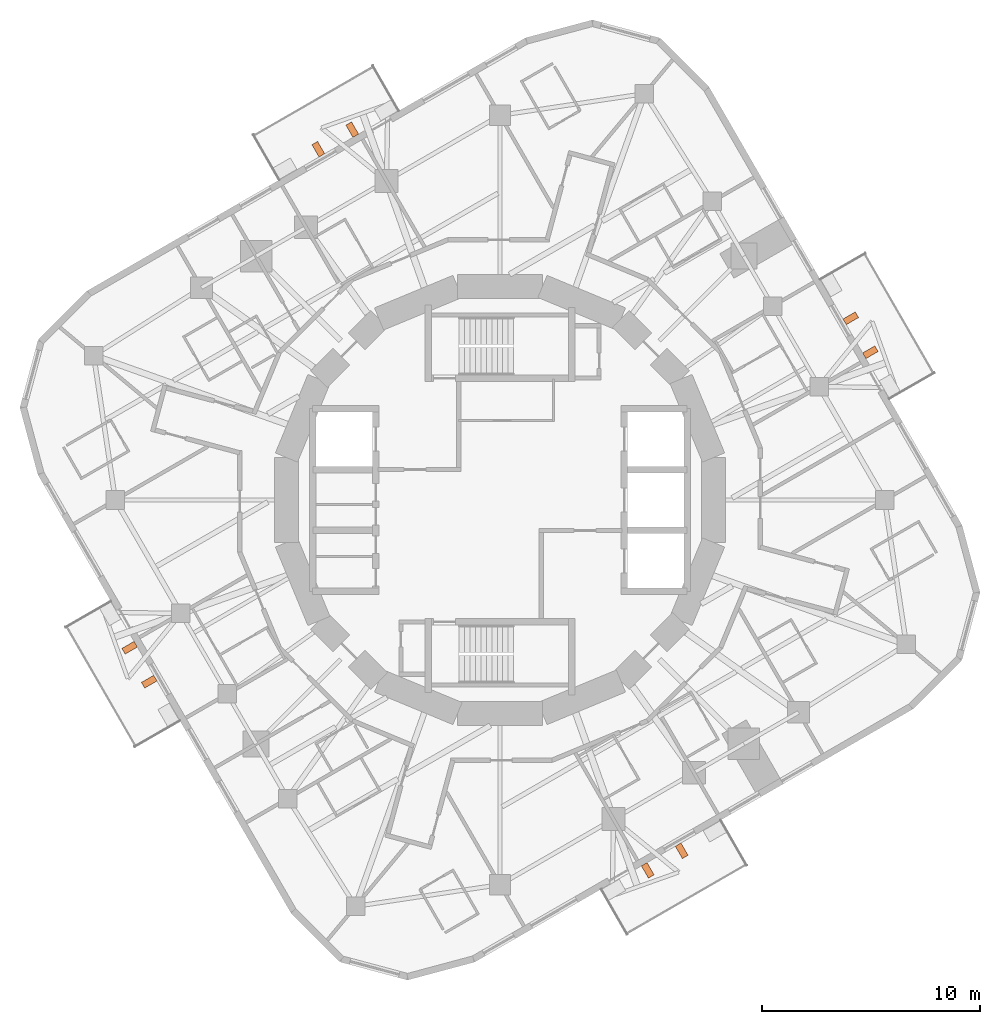
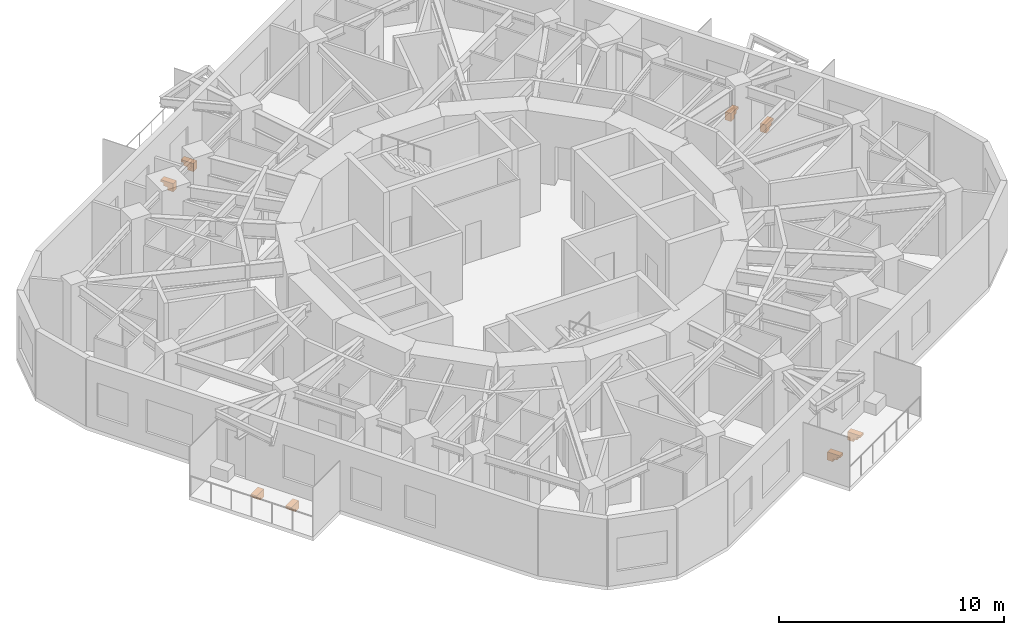
# One storey, part 11 of 11: 8 proxies.
"""IFC4 building model written with IfcOpenShell, lengths in metres."""

from ifc_helpers import new_model, si_unit, direction, frame, origin, place, context, subcontext, project, spatial, polyline, outline, extrude, material, type_object, element, save


model = new_model("IFC4")

# Units and contexts
model_context = context("Model", 3, precision=1e-05, world=origin(), true_north=direction((0.0, 1.0)))
body_context = subcontext(model_context, "Body", "Model", "MODEL_VIEW")
ifc_project = project(units=[si_unit("LENGTHUNIT", "METRE"), si_unit("AREAUNIT", "SQUARE_METRE"), si_unit("VOLUMEUNIT", "CUBIC_METRE"), si_unit("PLANEANGLEUNIT", "RADIAN"), si_unit("MASSUNIT", "GRAM", prefix="KILO")], contexts=[model_context])

# Site, building, storey
site_placement = place(None, origin())
site = spatial("IfcSite", under=ifc_project, at=site_placement, CompositionType="ELEMENT")
building_placement = place(site_placement, origin())
building = spatial("IfcBuilding", under=site, at=building_placement, Name="Nakasero Lantern House", CompositionType="ELEMENT")
storey_placement = place(building_placement, frame((0.0, 0.0, 246.199951171875)))
storey = spatial("IfcBuildingStorey", under=building, at=storey_placement, Name="L60", CompositionType="ELEMENT", Elevation=246.199951171875)

# Proxies
ifc_material = material(Name="Concrete C40/50 precast", Category="concrete")
building_element_proxy_type = type_object("IfcBuildingElementProxyType", Name="Balcony bracket 300", PredefinedType="USERDEFINED", material=ifc_material)
for number, where, z_axis, x_axis, name in (
    (1, (16.7294921875, 6.62353515625, -0.199951171875), (0.0, 0.0, 1.0), (0.866025404, 0.5, 0.0), "Balcony bracket L60 0A"),
    (2, (15.82958984375, 8.182373046875, -0.199951171875), (0.0, 0.0, 1.0), (0.866025404, 0.5, 0.0), "Balcony bracket L60 0B"),
    (3, (-6.62353515625, 16.7294921875, -0.199951171875), (0.0, 0.0, 1.0), (-0.5, 0.866025404, 0.0), "Balcony bracket L60 1A"),
    (4, (-8.182373046875, 15.82958984375, -0.199951171875), (0.0, 0.0, 1.0), (-0.5, 0.866025404, 0.0), "Balcony bracket L60 1B"),
    (5, (-16.7294921875, -6.62353515625, -0.199951171875), (0.0, 0.0, 1.0), (-0.866025404, -0.5, 0.0), "Balcony bracket L60 2A"),
    (6, (-15.82958984375, -8.182373046875, -0.199951171875), (0.0, 0.0, 1.0), (-0.866025404, -0.5, 0.0), "Balcony bracket L60 2B"),
    (7, (6.62353515625, -16.7294921875, -0.199951171875), (0.0, 0.0, 1.0), (0.5, -0.866025404, 0.0), "Balcony bracket L60 3A"),
    (8, (8.182373046875, -15.82958984375, -0.199951171875), (0.0, 0.0, 1.0), (0.5, -0.866025404, 0.0), "Balcony bracket L60 3B"),
):
    element("IfcBuildingElementProxy", number, at=place(storey_placement, frame(where, z_axis=z_axis, x_axis=x_axis)), inside=storey, type_object=building_element_proxy_type, Name=name, ObjectType="BALCONY BRACKET", PredefinedType="USERDEFINED", context=body_context, shape_type="SweptSolid", body=[
        extrude(outline(polyline([(0.0, 0.0), (0.64990234375, 0.0), (0.64990234375, -0.1201171875), (0.5, -0.1201171875), (0.5, -0.280029296875), (0.300048828125, -0.280029296875), (0.300048828125, -0.43994140625), (0.0, -0.43994140625), (0.0, 0.0)])), frame((0.0, 0.14990234375, 0.0), z_axis=(0.0, -1.0, 0.0), x_axis=(1.0, 0.0, 0.0)), (0.0, 0.0, 1.0), 0.300048828125),
    ])

save(model, "model.ifc")
